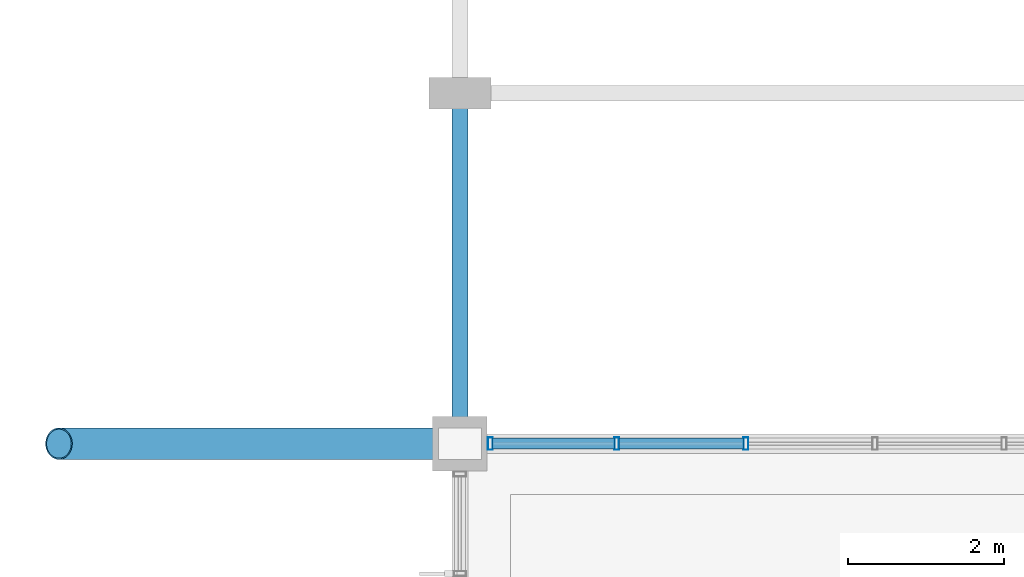
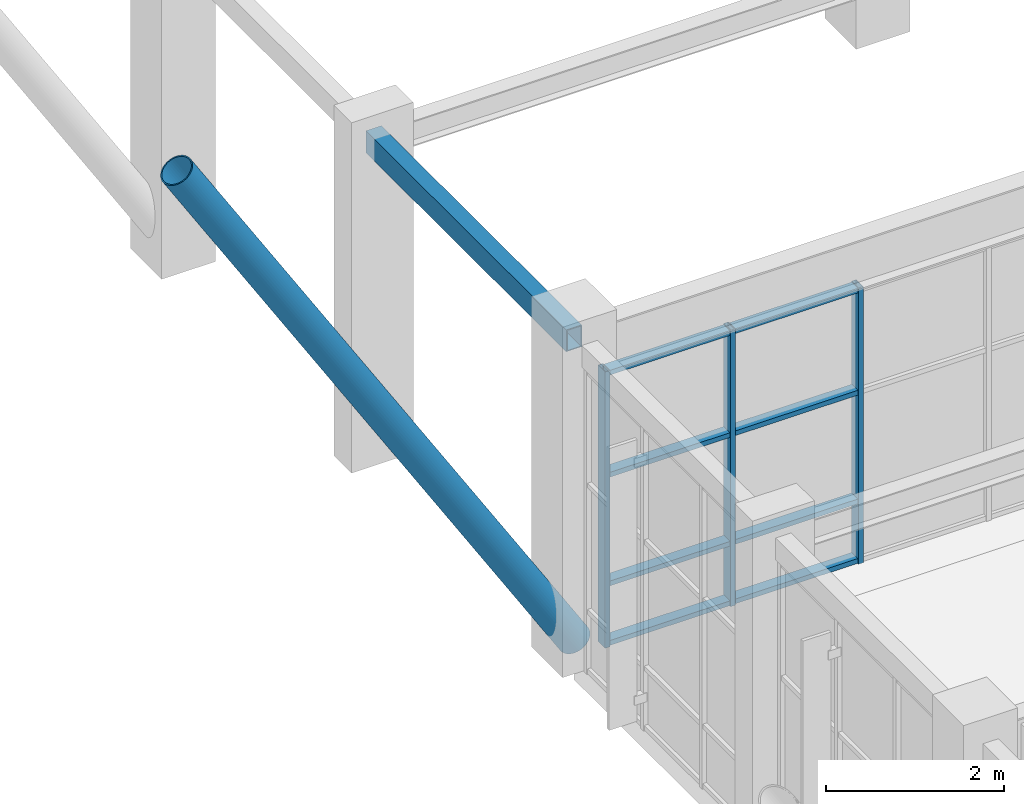
# One storey, part 27 of 104: 12 members, 1 beam, 1 element without a shape of its own.
"""IFC4 building model written with IfcOpenShell, lengths in metres."""

from ifc_helpers import new_model, si_unit, direction, frame, origin, origin_2d, place, context, subcontext, project, spatial, hollow_rectangle, hollow_circle, extrude, material, layer, layer_set, material_profile, profile_set, type_object, element, aggregate, save


model = new_model("IFC4")

# Units and contexts
model_context = context("Model", 3, precision=1e-05, world=origin(), true_north=direction((0.0, 1.0)))
body_context = subcontext(model_context, "Body", "Model", "MODEL_VIEW")
ifc_project = project(units=[si_unit("LENGTHUNIT", "METRE"), si_unit("AREAUNIT", "SQUARE_METRE"), si_unit("VOLUMEUNIT", "CUBIC_METRE"), si_unit("PLANEANGLEUNIT", "RADIAN"), si_unit("MASSUNIT", "GRAM", prefix="KILO")], contexts=[model_context])

# Site, building, storey
site_placement = place(None, origin())
site = spatial("IfcSite", under=ifc_project, at=site_placement, CompositionType="ELEMENT")
building_placement = place(site_placement, origin())
building = spatial("IfcBuilding", under=site, at=building_placement, Name="Ventoquebrada Cableway Terminal", CompositionType="ELEMENT")
storey_placement = place(building_placement, frame((0.0, 0.0, 4.800048828125)))
storey = spatial("IfcBuildingStorey", under=building, at=storey_placement, Name="L01", CompositionType="ELEMENT", Elevation=4.800048828125)

# Curtain wall, members
ifc_material_1 = material(Name="Anodized thermally-broken aluminium", Category="aluminium")
ifc_layer = layer(ifc_material_1, 0.159912109375)
ifc_layer_set = layer_set([ifc_layer], Name="Anodized thermally-broken aluminium")
curtain_wall_type = type_object("IfcCurtainWallType", Name="CW-T14", PredefinedType="USERDEFINED", material=ifc_layer_set)
curtain_wall_placement = place(storey_placement, origin())
curtain_wall = element("IfcCurtainWall", 1, at=curtain_wall_placement, inside=storey, type_object=curtain_wall_type, Name="Unitised glazed curtain wall CW-030", ObjectType="UNITISED CURTAIN WALL", PredefinedType="USERDEFINED")
ifc_material_profile_1 = material_profile(ifc_material_1, hollow_rectangle(XDim=0.06494140625, YDim=0.159912109375, WallThickness=0.00390625, at=origin_2d()), Name="CW-MUL-65X160")
ifc_profile_set_1 = profile_set([ifc_material_profile_1], Name="Anodized thermally-broken aluminium")
member_type_1 = type_object("IfcMemberType", Name="CWM-01", PredefinedType="MULLION", material=ifc_profile_set_1)
member_1_placement = place(storey_placement, frame((11.87109375, 95.0, -0.008056640625), z_axis=(0.0, 0.0, 1.0), x_axis=(-1.0, 0.0, 0.0)))
member_1 = element("IfcMember", 2, at=member_1_placement, type_object=member_type_1, Name="Curtain wall mullion FML-0136", PredefinedType="MULLION", context=body_context, shape_type="SweptSolid", body=[
    extrude(hollow_rectangle(XDim=0.06494140625, YDim=0.159912109375, WallThickness=0.00390625, at=origin_2d()), origin(), (0.0, 0.0, 1.0), 3.784912109375),
])
member_2_placement = place(storey_placement, frame((10.212890625, 95.0, -0.008056640625), z_axis=(0.0, 0.0, 1.0), x_axis=(-1.0, 0.0, 0.0)))
member_2 = element("IfcMember", 3, at=member_2_placement, type_object=member_type_1, Name="Curtain wall mullion FML-0137", PredefinedType="MULLION", context=body_context, shape_type="SweptSolid", body=[
    extrude(hollow_rectangle(XDim=0.06494140625, YDim=0.159912109375, WallThickness=0.00390625, at=origin_2d()), origin(), (0.0, 0.0, 1.0), 3.784912109375),
])
member_3_placement = place(storey_placement, frame((8.590087890625, 95.0, -0.008056640625), z_axis=(0.0, 0.0, 1.0), x_axis=(-1.0, 0.0, 0.0)))
member_3 = element("IfcMember", 4, at=member_3_placement, type_object=member_type_1, Name="Curtain wall mullion FML-0138", PredefinedType="MULLION", context=body_context, shape_type="SweptSolid", body=[
    extrude(hollow_rectangle(XDim=0.06494140625, YDim=0.159912109375, WallThickness=0.00390625, at=origin_2d()), origin(), (0.0, 0.0, 1.0), 3.784912109375),
])
ifc_material_profile_2 = material_profile(ifc_material_1, hollow_rectangle(XDim=0.06494140625, YDim=0.139892578125, WallThickness=0.00390625, at=origin_2d()), Name="CW-TRN-65X140")
ifc_profile_set_2 = profile_set([ifc_material_profile_2], Name="Anodized thermally-broken aluminium")
member_type_2 = type_object("IfcMemberType", Name="CWT-01", PredefinedType="USERDEFINED", material=ifc_profile_set_2)
member_4_placement = place(storey_placement, frame((11.843017578125, 95.0, 0.034912109375), z_axis=(-1.0, 0.0, 0.0), x_axis=(0.0, 0.0, 1.0)))
member_4 = element("IfcMember", 5, at=member_4_placement, type_object=member_type_2, Name="Curtain wall transom FTR-0403", ObjectType="TRANSOM", PredefinedType="USERDEFINED", context=body_context, shape_type="SweptSolid", body=[
    extrude(hollow_rectangle(XDim=0.06494140625, YDim=0.139892578125, WallThickness=0.00390625, at=origin_2d()), origin(), (0.0, 0.0, 1.0), 1.60302734375),
])
member_5_placement = place(storey_placement, frame((11.843017578125, 95.0, 0.849853515625), z_axis=(-1.0, 0.0, 0.0), x_axis=(0.0, 0.0, 1.0)))
member_5 = element("IfcMember", 6, at=member_5_placement, type_object=member_type_2, Name="Curtain wall transom FTR-0404", ObjectType="TRANSOM", PredefinedType="USERDEFINED", context=body_context, shape_type="SweptSolid", body=[
    extrude(hollow_rectangle(XDim=0.06494140625, YDim=0.139892578125, WallThickness=0.00390625, at=origin_2d()), origin(), (0.0, 0.0, 1.0), 1.60302734375),
])
member_6_placement = place(storey_placement, frame((11.843017578125, 95.0, 2.3388671875), z_axis=(-1.0, 0.0, 0.0), x_axis=(0.0, 0.0, 1.0)))
member_6 = element("IfcMember", 7, at=member_6_placement, type_object=member_type_2, Name="Curtain wall transom FTR-0405", ObjectType="TRANSOM", PredefinedType="USERDEFINED", context=body_context, shape_type="SweptSolid", body=[
    extrude(hollow_rectangle(XDim=0.06494140625, YDim=0.139892578125, WallThickness=0.00390625, at=origin_2d()), origin(), (0.0, 0.0, 1.0), 1.60302734375),
])
member_7_placement = place(storey_placement, frame((11.843017578125, 95.0, 3.737060546875), z_axis=(-1.0, 0.0, 0.0), x_axis=(0.0, 0.0, 1.0)))
member_7 = element("IfcMember", 8, at=member_7_placement, type_object=member_type_2, Name="Curtain wall transom FTR-0406", ObjectType="TRANSOM", PredefinedType="USERDEFINED", context=body_context, shape_type="SweptSolid", body=[
    extrude(hollow_rectangle(XDim=0.06494140625, YDim=0.139892578125, WallThickness=0.00390625, at=origin_2d()), origin(), (0.0, 0.0, 1.0), 1.60302734375),
])
member_8_placement = place(storey_placement, frame((10.18505859375, 95.0, 0.034912109375), z_axis=(-1.0, 0.0, 0.0), x_axis=(0.0, 0.0, 1.0)))
member_8 = element("IfcMember", 9, at=member_8_placement, type_object=member_type_2, Name="Curtain wall transom FTR-0407", ObjectType="TRANSOM", PredefinedType="USERDEFINED", context=body_context, shape_type="SweptSolid", body=[
    extrude(hollow_rectangle(XDim=0.06494140625, YDim=0.139892578125, WallThickness=0.00390625, at=origin_2d()), origin(), (0.0, 0.0, 1.0), 1.568115234375),
])
member_9_placement = place(storey_placement, frame((10.18505859375, 95.0, 0.849853515625), z_axis=(-1.0, 0.0, 0.0), x_axis=(0.0, 0.0, 1.0)))
member_9 = element("IfcMember", 10, at=member_9_placement, type_object=member_type_2, Name="Curtain wall transom FTR-0408", ObjectType="TRANSOM", PredefinedType="USERDEFINED", context=body_context, shape_type="SweptSolid", body=[
    extrude(hollow_rectangle(XDim=0.06494140625, YDim=0.139892578125, WallThickness=0.00390625, at=origin_2d()), origin(), (0.0, 0.0, 1.0), 1.568115234375),
])
member_10_placement = place(storey_placement, frame((10.18505859375, 95.0, 2.3388671875), z_axis=(-1.0, 0.0, 0.0), x_axis=(0.0, 0.0, 1.0)))
member_10 = element("IfcMember", 11, at=member_10_placement, type_object=member_type_2, Name="Curtain wall transom FTR-0409", ObjectType="TRANSOM", PredefinedType="USERDEFINED", context=body_context, shape_type="SweptSolid", body=[
    extrude(hollow_rectangle(XDim=0.06494140625, YDim=0.139892578125, WallThickness=0.00390625, at=origin_2d()), origin(), (0.0, 0.0, 1.0), 1.568115234375),
])
member_11_placement = place(storey_placement, frame((10.18505859375, 95.0, 3.737060546875), z_axis=(-1.0, 0.0, 0.0), x_axis=(0.0, 0.0, 1.0)))
member_11 = element("IfcMember", 12, at=member_11_placement, type_object=member_type_2, Name="Curtain wall transom FTR-0410", ObjectType="TRANSOM", PredefinedType="USERDEFINED", context=body_context, shape_type="SweptSolid", body=[
    extrude(hollow_rectangle(XDim=0.06494140625, YDim=0.139892578125, WallThickness=0.00390625, at=origin_2d()), origin(), (0.0, 0.0, 1.0), 1.568115234375),
])
aggregate(curtain_wall, [member_1, member_2, member_3, member_4, member_5, member_6, member_7, member_8, member_9, member_10, member_11])

# Beam
ifc_material_2 = material(Name="Steel ASTM A500 Grade C", Category="steel")
ifc_material_profile_3 = material_profile(ifc_material_2, hollow_rectangle(XDim=0.199951171875, YDim=0.300048828125, WallThickness=0.012451171875, at=origin_2d()), Name="RHS300X200X12.5")
ifc_profile_set_3 = profile_set([ifc_material_profile_3], Name="Steel ASTM A500 Grade C")
beam_type = type_object("IfcBeamType", Name="SP-ST02", PredefinedType="SPANDREL", material=ifc_profile_set_3)
beam_placement = place(storey_placement, frame((8.199951171875, 95.0, 4.31494140625), z_axis=(0.0, 1.0, 0.0), x_axis=(-1.0, 0.0, 0.0)))
element("IfcBeam", 13, at=beam_placement, inside=storey, type_object=beam_type, Name="Perimeter spandrel beam FBM-0411", PredefinedType="SPANDREL", context=body_context, shape_type="SweptSolid", body=[
    extrude(hollow_rectangle(XDim=0.199951171875, YDim=0.300048828125, WallThickness=0.012451171875, at=origin_2d()), origin(), (0.0, 0.0, 1.0), 4.5),
])

# Member
ifc_material_profile_4 = material_profile(ifc_material_2, hollow_circle(Radius=0.203125, WallThickness=0.01611328125, at=origin_2d()), Name="CHS406.4X16")
ifc_profile_set_4 = profile_set([ifc_material_profile_4], Name="Steel ASTM A500 Grade C")
member_type_3 = type_object("IfcMemberType", Name="STR-RK01", PredefinedType="STRUT", material=ifc_profile_set_4)
member_12_placement = place(storey_placement, frame((8.199951171875, 95.0, 0.199951171875), z_axis=(-0.530964723837, 0.0, 0.847393923769), x_axis=(0.0, -1.0, 0.0)))
element("IfcMember", 14, at=member_12_placement, inside=storey, type_object=member_type_3, Name="Cantilever steel raker strut RK-03", PredefinedType="STRUT", context=body_context, shape_type="SweptSolid", body=[
    extrude(hollow_circle(Radius=0.203125, WallThickness=0.01611328125, at=origin_2d()), origin(), (0.0, 0.0, 1.0), 9.69921875),
])

save(model, "model.ifc")
